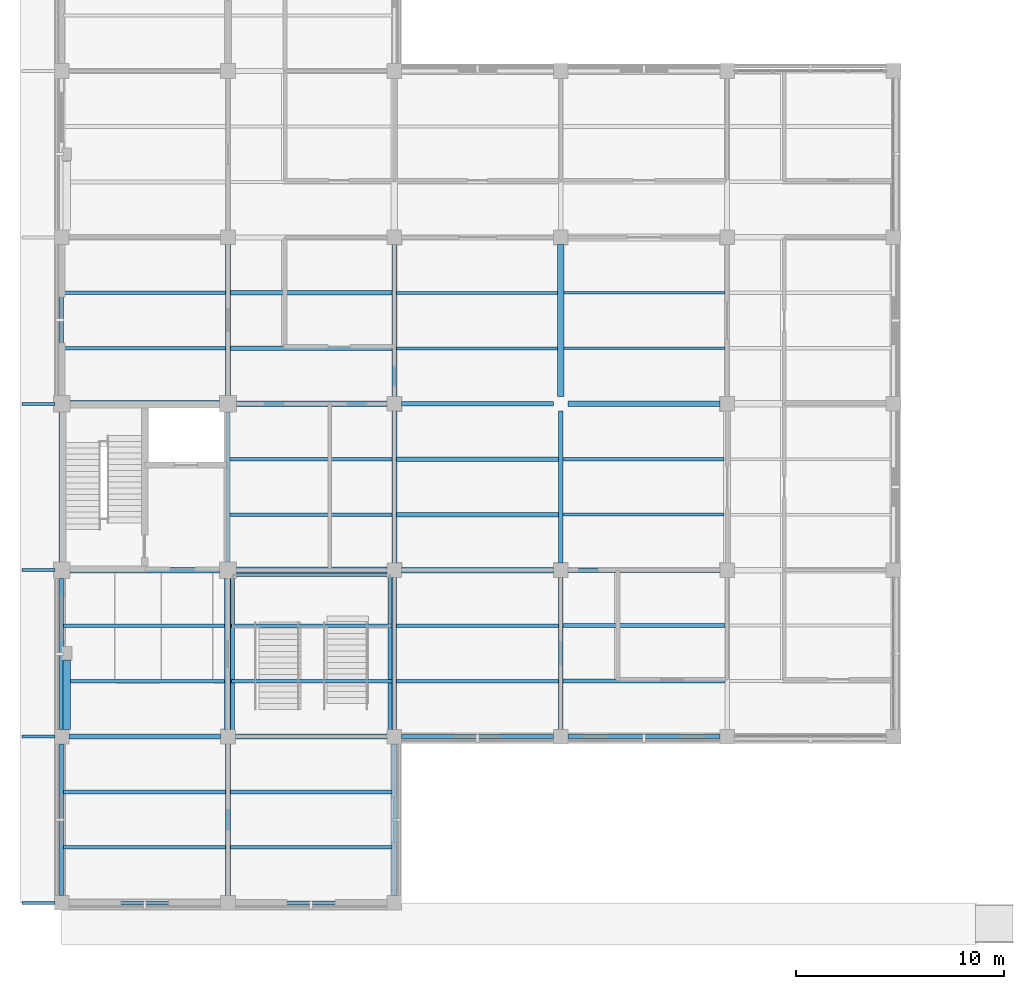
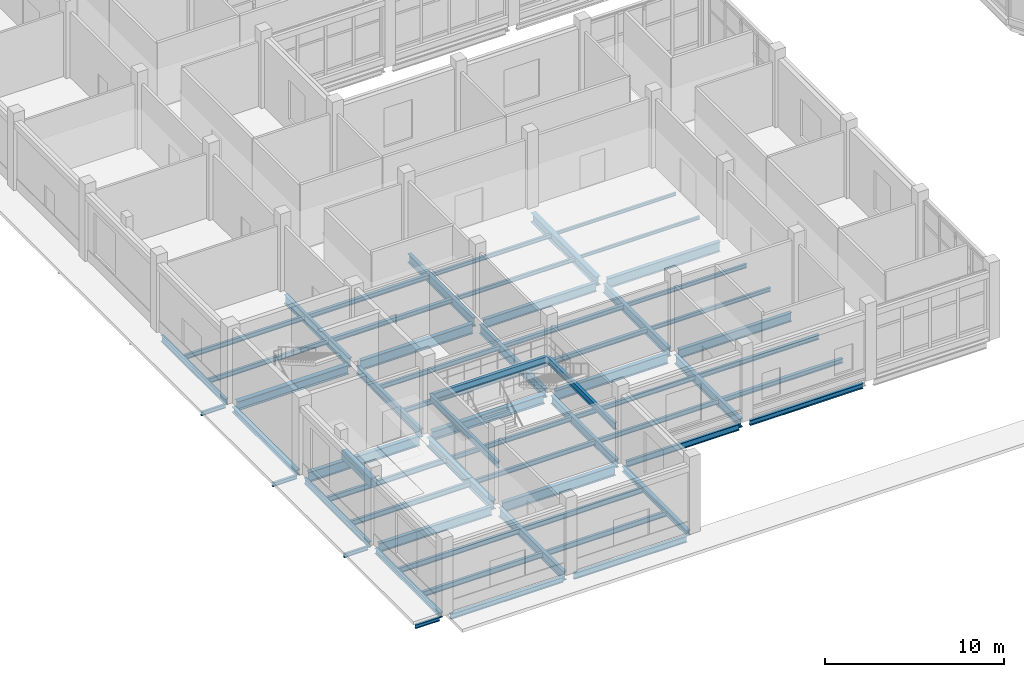
# One storey, part 8 of 105: 63 beams.
"""IFC4 building model written with IfcOpenShell, lengths in metres."""

from ifc_helpers import new_model, si_unit, derived_unit, direction, frame, origin, origin_2d, place, context, subcontext, project, spatial, rectangle, i_section, extrude, material, material_profile, profile_set, type_object, element, save


model = new_model("IFC4")

# Units and contexts
model_context = context("Model", 3, precision=1e-05, world=origin(), true_north=direction((0.0, 1.0)))
body_context = subcontext(model_context, "Body", "Model", "MODEL_VIEW")
ifc_project = project(units=[si_unit("LENGTHUNIT", "METRE"), si_unit("AREAUNIT", "SQUARE_METRE"), si_unit("VOLUMEUNIT", "CUBIC_METRE"), si_unit("PLANEANGLEUNIT", "RADIAN"), si_unit("MASSUNIT", "GRAM", prefix="KILO"), derived_unit("THERMALTRANSMITTANCEUNIT", [(si_unit("MASSUNIT", "GRAM", prefix="KILO"), 1), (si_unit("TIMEUNIT", "SECOND"), -3), (si_unit("THERMODYNAMICTEMPERATUREUNIT", "KELVIN"), -1)])], contexts=[model_context])

# Site, building, storey
site_placement = place(None, origin())
site = spatial("IfcSite", under=ifc_project, at=site_placement, CompositionType="ELEMENT")
building_placement = place(site_placement, origin())
building = spatial("IfcBuilding", under=site, at=building_placement, Name="Veyamyaing Civic Hall", CompositionType="ELEMENT")
storey_placement = place(building_placement, origin())
storey = spatial("IfcBuildingStorey", under=building, at=storey_placement, Name="L00", CompositionType="ELEMENT", Elevation=0.0)

# Beams
ifc_material_1 = material(Name="Steel ASTM A992", Category="steel")
ifc_material_profile_1 = material_profile(ifc_material_1, i_section(OverallWidth=0.256103515625, OverallDepth=0.693115234375, WebThickness=0.014404296875, FlangeThickness=0.023681640625, FilletRadius=0.013916015625, at=origin_2d()), Name="W690X170")
ifc_profile_set_1 = profile_set([ifc_material_profile_1], Name="Steel ASTM A992")
beam_type_1 = type_object("IfcBeamType", Name="B-04", PredefinedType="BEAM", material=ifc_profile_set_1)
beam_1_placement = place(storey_placement, frame((16.35009765625, 16.0, -0.611572265625), z_axis=(1.0, 0.0, 0.0), x_axis=(0.0, 1.0, 0.0)))
element("IfcBeam", 1, at=beam_1_placement, inside=storey, type_object=beam_type_1, Name="Girder B-04 L00 Grid C 3-4", PredefinedType="BEAM", context=body_context, shape_type="SweptSolid", body=[
    extrude(i_section(OverallWidth=0.256103515625, OverallDepth=0.693115234375, WebThickness=0.014404296875, FlangeThickness=0.023681640625, FilletRadius=0.013916015625, at=origin_2d()), origin(), (0.0, 0.0, 1.0), 7.2998046875),
])
beam_2_placement = place(storey_placement, frame((8.39990234375, 24.0, -0.611572265625), z_axis=(1.0, 0.0, 0.0), x_axis=(0.0, 1.0, 0.0)))
element("IfcBeam", 2, at=beam_2_placement, inside=storey, type_object=beam_type_1, Name="Girder B-04 L00 Grid D 2-3", PredefinedType="BEAM", context=body_context, shape_type="SweptSolid", body=[
    extrude(i_section(OverallWidth=0.256103515625, OverallDepth=0.693115234375, WebThickness=0.014404296875, FlangeThickness=0.023681640625, FilletRadius=0.013916015625, at=origin_2d()), origin(), (0.0, 0.0, 1.0), 7.25),
])
ifc_material_profile_2 = material_profile(ifc_material_1, i_section(OverallWidth=0.22998046875, OverallDepth=0.616943359375, WebThickness=0.01318359375, FlangeThickness=0.022216796875, FilletRadius=0.012939453125, at=origin_2d()), Name="W610X140")
ifc_profile_set_2 = profile_set([ifc_material_profile_2], Name="Steel ASTM A992")
beam_type_2 = type_object("IfcBeamType", Name="B-05", PredefinedType="BEAM", material=ifc_profile_set_2)
for number, where, z_axis, x_axis, name in (
    (3, (0.35009765625, 8.0, -0.573486328125), (1.0, 0.0, 0.0), (0.0, 1.0, 0.0), "Girder B-05 L00 Grid B 1-2"),
    (4, (24.35009765625, 16.0, -0.573486328125), (1.0, 0.0, 0.0), (0.0, 1.0, 0.0), "Girder B-05 L00 Grid C 4-5"),
    (5, (16.35009765625, 24.0, -0.573486328125), (1.0, 0.0, 0.0), (0.0, 1.0, 0.0), "Girder B-05 L00 Grid D 3-4"),
):
    element("IfcBeam", number, at=place(storey_placement, frame(where, z_axis=z_axis, x_axis=x_axis)), inside=storey, type_object=beam_type_2, Name=name, PredefinedType="BEAM", context=body_context, shape_type="SweptSolid", body=[
        extrude(i_section(OverallWidth=0.22998046875, OverallDepth=0.616943359375, WebThickness=0.01318359375, FlangeThickness=0.022216796875, FilletRadius=0.012939453125, at=origin_2d()), origin(), (0.0, 0.0, 1.0), 7.2998046875),
    ])
beam_3_placement = place(storey_placement, frame((8.0, 24.39990234375, -0.573486328125), z_axis=(0.0, 1.0, 0.0), x_axis=(-1.0, 0.0, 0.0)))
element("IfcBeam", 6, at=beam_3_placement, inside=storey, type_object=beam_type_2, Name="Girder B-05 L00 Grid 2 D-E", PredefinedType="BEAM", context=body_context, shape_type="SweptSolid", body=[
    extrude(i_section(OverallWidth=0.22998046875, OverallDepth=0.616943359375, WebThickness=0.01318359375, FlangeThickness=0.022216796875, FilletRadius=0.012939453125, at=origin_2d()), origin(), (0.0, 0.0, 1.0), 7.25),
])
for number, where, z_axis, x_axis, name in (
    (7, (16.0, 16.35009765625, -0.573486328125), (0.0, 1.0, 0.0), (-1.0, 0.0, 0.0), "Girder B-05 L00 Grid 3 C-D"),
    (8, (24.0, 8.35009765625, -0.573486328125), (0.0, 1.0, 0.0), (-1.0, 0.0, 0.0), "Girder B-05 L00 Grid 4 B-C"),
):
    element("IfcBeam", number, at=place(storey_placement, frame(where, z_axis=z_axis, x_axis=x_axis)), inside=storey, type_object=beam_type_2, Name=name, PredefinedType="BEAM", context=body_context, shape_type="SweptSolid", body=[
        extrude(i_section(OverallWidth=0.22998046875, OverallDepth=0.616943359375, WebThickness=0.01318359375, FlangeThickness=0.022216796875, FilletRadius=0.012939453125, at=origin_2d()), origin(), (0.0, 0.0, 1.0), 7.2998046875),
    ])
ifc_material_profile_3 = material_profile(ifc_material_1, i_section(OverallWidth=0.22802734375, OverallDepth=0.60791015625, WebThickness=0.01123046875, FlangeThickness=0.017333984375, FilletRadius=0.012939453125, at=origin_2d()), Name="W610X113")
ifc_profile_set_3 = profile_set([ifc_material_profile_3], Name="Steel ASTM A992")
beam_type_3 = type_object("IfcBeamType", Name="B-06", PredefinedType="BEAM", material=ifc_profile_set_3)
for number, where, z_axis, x_axis, name in (
    (9, (8.0, 0.35009765625, -0.569091796875), (0.0, 1.0, 0.0), (-1.0, 0.0, 0.0), "Girder B-06 L00 Grid 2 A-B"),
    (10, (16.0, 24.35009765625, -0.569091796875), (0.0, 1.0, 0.0), (-1.0, 0.0, 0.0), "Girder B-06 L00 Grid 3 D-E"),
    (11, (24.0, 16.35009765625, -0.569091796875), (0.0, 1.0, 0.0), (-1.0, 0.0, 0.0), "Girder B-06 L00 Grid 4 C-D"),
):
    element("IfcBeam", number, at=place(storey_placement, frame(where, z_axis=z_axis, x_axis=x_axis)), inside=storey, type_object=beam_type_3, Name=name, PredefinedType="BEAM", context=body_context, shape_type="SweptSolid", body=[
        extrude(i_section(OverallWidth=0.22802734375, OverallDepth=0.60791015625, WebThickness=0.01123046875, FlangeThickness=0.017333984375, FilletRadius=0.012939453125, at=origin_2d()), origin(), (0.0, 0.0, 1.0), 7.2998046875),
    ])
ifc_material_profile_4 = material_profile(ifc_material_1, i_section(OverallWidth=0.18994140625, OverallDepth=0.45703125, WebThickness=0.009033203125, FlangeThickness=0.014404296875, FilletRadius=0.010009765625, at=origin_2d()), Name="W460X74")
ifc_profile_set_4 = profile_set([ifc_material_profile_4], Name="Steel ASTM A992")
beam_type_4 = type_object("IfcBeamType", Name="B-09", PredefinedType="BEAM", material=ifc_profile_set_4)
for number, where, z_axis, x_axis, name in (
    (12, (8.219970703125, 8.14990234375, 2.216552734375), (0.0, 1.0, 0.0), (-1.0, 0.0, 0.0), "Monumental stair landing girder B-09 ST07.W"),
    (13, (15.780029296875, 8.14990234375, 2.216552734375), (0.0, 1.0, 0.0), (-1.0, 0.0, 0.0), "Monumental stair landing girder B-09 ST07.E"),
):
    element("IfcBeam", number, at=place(storey_placement, frame(where, z_axis=z_axis, x_axis=x_axis)), inside=storey, type_object=beam_type_4, Name=name, PredefinedType="BEAM", context=body_context, shape_type="SweptSolid", body=[
        extrude(i_section(OverallWidth=0.18994140625, OverallDepth=0.45703125, WebThickness=0.009033203125, FlangeThickness=0.014404296875, FilletRadius=0.010009765625, at=origin_2d()), origin(), (0.0, 0.0, 1.0), 7.630126953125),
    ])
beam_4_placement = place(storey_placement, frame((8.169921875, 15.780029296875, 2.216552734375), z_axis=(1.0, 0.0, 0.0), x_axis=(0.0, 1.0, 0.0)))
element("IfcBeam", 14, at=beam_4_placement, inside=storey, type_object=beam_type_4, Name="Monumental stair landing girder B-09 ST07.N", PredefinedType="BEAM", context=body_context, shape_type="SweptSolid", body=[
    extrude(i_section(OverallWidth=0.18994140625, OverallDepth=0.45703125, WebThickness=0.009033203125, FlangeThickness=0.014404296875, FilletRadius=0.010009765625, at=origin_2d()), origin(), (0.0, 0.0, 1.0), 7.66015625),
])
ifc_material_profile_5 = material_profile(ifc_material_1, i_section(OverallWidth=0.179931640625, OverallDepth=0.4130859375, WebThickness=0.009765625, FlangeThickness=0.01611328125, FilletRadius=0.010009765625, at=origin_2d()), Name="W410X74")
ifc_profile_set_5 = profile_set([ifc_material_profile_5], Name="Steel ASTM A992")
beam_type_5 = type_object("IfcBeamType", Name="B-10", PredefinedType="SPANDREL", material=ifc_profile_set_5)
beam_5_placement = place(storey_placement, frame((16.35009765625, 8.0, -0.471435546875), z_axis=(1.0, 0.0, 0.0), x_axis=(0.0, 1.0, 0.0)))
element("IfcBeam", 15, at=beam_5_placement, inside=storey, type_object=beam_type_5, Name="Girder B-10 L00 Grid B 3-4", PredefinedType="SPANDREL", context=body_context, shape_type="SweptSolid", body=[
    extrude(i_section(OverallWidth=0.179931640625, OverallDepth=0.4130859375, WebThickness=0.009765625, FlangeThickness=0.01611328125, FilletRadius=0.010009765625, at=origin_2d()), origin(), (0.0, 0.0, 1.0), 7.2998046875),
])
beam_6_placement = place(storey_placement, frame((0.0, 24.39990234375, -0.471435546875), z_axis=(0.0, 1.0, 0.0), x_axis=(-1.0, 0.0, 0.0)))
element("IfcBeam", 16, at=beam_6_placement, inside=storey, type_object=beam_type_5, Name="Girder B-10 L00 Grid 1 D-E", PredefinedType="SPANDREL", context=body_context, shape_type="SweptSolid", body=[
    extrude(i_section(OverallWidth=0.179931640625, OverallDepth=0.4130859375, WebThickness=0.009765625, FlangeThickness=0.01611328125, FilletRadius=0.010009765625, at=origin_2d()), origin(), (0.0, 0.0, 1.0), 7.25),
])
ifc_material_profile_6 = material_profile(ifc_material_1, i_section(OverallWidth=0.2041015625, OverallDepth=0.35009765625, WebThickness=0.0078125, FlangeThickness=0.01513671875, FilletRadius=0.010009765625, at=origin_2d()), Name="W360X72")
ifc_profile_set_6 = profile_set([ifc_material_profile_6], Name="Steel ASTM A992")
beam_type_6 = type_object("IfcBeamType", Name="B-11", PredefinedType="SPANDREL", material=ifc_profile_set_6)
for number, where, z_axis, x_axis, name in (
    (17, (0.35009765625, 0.0, -0.43994140625), (1.0, 0.0, 0.0), (0.0, 1.0, 0.0), "Girder B-11 L00 Grid A 1-2"),
    (18, (24.35009765625, 8.0, -0.43994140625), (1.0, 0.0, 0.0), (0.0, 1.0, 0.0), "Girder B-11 L00 Grid B 4-5"),
    (19, (0.0, 0.35009765625, -0.43994140625), (0.0, 1.0, 0.0), (-1.0, 0.0, 0.0), "Girder B-11 L00 Grid 1 A-B"),
):
    element("IfcBeam", number, at=place(storey_placement, frame(where, z_axis=z_axis, x_axis=x_axis)), inside=storey, type_object=beam_type_6, Name=name, PredefinedType="SPANDREL", context=body_context, shape_type="SweptSolid", body=[
        extrude(i_section(OverallWidth=0.2041015625, OverallDepth=0.35009765625, WebThickness=0.0078125, FlangeThickness=0.01513671875, FilletRadius=0.010009765625, at=origin_2d()), origin(), (0.0, 0.0, 1.0), 7.2998046875),
    ])
ifc_material_profile_7 = material_profile(ifc_material_1, i_section(OverallWidth=0.14599609375, OverallDepth=0.258056640625, WebThickness=0.006103515625, FlangeThickness=0.009033203125, FilletRadius=0.010009765625, at=origin_2d()), Name="W250X33")
ifc_profile_set_7 = profile_set([ifc_material_profile_7], Name="Steel ASTM A992")
beam_type_7 = type_object("IfcBeamType", Name="B-12", PredefinedType="BEAM", material=ifc_profile_set_7)
for number, where, z_axis, x_axis, name in (
    (20, (-1.89990234375, 0.0, -0.34912109375), (1.0, 0.0, 0.0), (0.0, 1.0, 0.0), "Colonnade deck transverse beam B-12 W.0"),
    (21, (-1.89990234375, 8.0, -0.34912109375), (1.0, 0.0, 0.0), (0.0, 1.0, 0.0), "Colonnade deck transverse beam B-12 W.1"),
    (22, (-1.89990234375, 16.0, -0.34912109375), (1.0, 0.0, 0.0), (0.0, 1.0, 0.0), "Colonnade deck transverse beam B-12 W.2"),
    (23, (-1.89990234375, 24.0, -0.34912109375), (1.0, 0.0, 0.0), (0.0, 1.0, 0.0), "Colonnade deck transverse beam B-12 W.3"),
):
    element("IfcBeam", number, at=place(storey_placement, frame(where, z_axis=z_axis, x_axis=x_axis)), inside=storey, type_object=beam_type_7, Name=name, PredefinedType="BEAM", context=body_context, shape_type="SweptSolid", body=[
        extrude(i_section(OverallWidth=0.14599609375, OverallDepth=0.258056640625, WebThickness=0.006103515625, FlangeThickness=0.009033203125, FilletRadius=0.010009765625, at=origin_2d()), origin(), (0.0, 0.0, 1.0), 1.579833984375),
    ])
ifc_material_profile_8 = material_profile(ifc_material_1, i_section(OverallWidth=0.25390625, OverallDepth=0.68408203125, WebThickness=0.012451171875, FlangeThickness=0.01904296875, FilletRadius=0.013916015625, at=origin_2d()), Name="W690X140")
ifc_profile_set_8 = profile_set([ifc_material_profile_8], Name="Steel ASTM A992")
beam_type_8 = type_object("IfcBeamType", Name="B-14", PredefinedType="BEAM", material=ifc_profile_set_8)
beam_7_placement = place(storey_placement, frame((8.35009765625, 8.0, -0.60693359375), z_axis=(1.0, 0.0, 0.0), x_axis=(0.0, 1.0, 0.0)))
element("IfcBeam", 24, at=beam_7_placement, inside=storey, type_object=beam_type_8, Name="Girder B-14 L00 Grid B 2-3", PredefinedType="BEAM", context=body_context, shape_type="SweptSolid", body=[
    extrude(i_section(OverallWidth=0.25390625, OverallDepth=0.68408203125, WebThickness=0.012451171875, FlangeThickness=0.01904296875, FilletRadius=0.013916015625, at=origin_2d()), origin(), (0.0, 0.0, 1.0), 7.2998046875),
])
beam_8_placement = place(storey_placement, frame((0.39990234375, 16.0, -0.60693359375), z_axis=(1.0, 0.0, 0.0), x_axis=(0.0, 1.0, 0.0)))
element("IfcBeam", 25, at=beam_8_placement, inside=storey, type_object=beam_type_8, Name="Girder B-14 L00 Grid C 1-2", PredefinedType="BEAM", context=body_context, shape_type="SweptSolid", body=[
    extrude(i_section(OverallWidth=0.25390625, OverallDepth=0.68408203125, WebThickness=0.012451171875, FlangeThickness=0.01904296875, FilletRadius=0.013916015625, at=origin_2d()), origin(), (0.0, 0.0, 1.0), 7.2001953125),
])
beam_9_placement = place(storey_placement, frame((24.35009765625, 24.0, -0.60693359375), z_axis=(1.0, 0.0, 0.0), x_axis=(0.0, 1.0, 0.0)))
element("IfcBeam", 26, at=beam_9_placement, inside=storey, type_object=beam_type_8, Name="Girder B-14 L00 Grid D 4-5", PredefinedType="BEAM", context=body_context, shape_type="SweptSolid", body=[
    extrude(i_section(OverallWidth=0.25390625, OverallDepth=0.68408203125, WebThickness=0.012451171875, FlangeThickness=0.01904296875, FilletRadius=0.013916015625, at=origin_2d()), origin(), (0.0, 0.0, 1.0), 7.2998046875),
])
ifc_material_profile_9 = material_profile(ifc_material_1, i_section(OverallWidth=0.324951171875, OverallDepth=0.615966796875, WebThickness=0.013916015625, FlangeThickness=0.021484375, FilletRadius=0.013916015625, at=origin_2d()), Name="W610X174")
ifc_profile_set_9 = profile_set([ifc_material_profile_9], Name="Steel ASTM A992")
beam_type_9 = type_object("IfcBeamType", Name="B-15", PredefinedType="BEAM", material=ifc_profile_set_9)
beam_10_placement = place(storey_placement, frame((8.39990234375, 16.0, -0.572998046875), z_axis=(1.0, 0.0, 0.0), x_axis=(0.0, 1.0, 0.0)))
element("IfcBeam", 27, at=beam_10_placement, inside=storey, type_object=beam_type_9, Name="Girder B-15 L00 Grid C 2-3", PredefinedType="BEAM", context=body_context, shape_type="SweptSolid", body=[
    extrude(i_section(OverallWidth=0.324951171875, OverallDepth=0.615966796875, WebThickness=0.013916015625, FlangeThickness=0.021484375, FilletRadius=0.013916015625, at=origin_2d()), origin(), (0.0, 0.0, 1.0), 7.25),
])
beam_11_placement = place(storey_placement, frame((0.39990234375, 24.0, -0.572998046875), z_axis=(1.0, 0.0, 0.0), x_axis=(0.0, 1.0, 0.0)))
element("IfcBeam", 28, at=beam_11_placement, inside=storey, type_object=beam_type_9, Name="Girder B-15 L00 Grid D 1-2", PredefinedType="BEAM", context=body_context, shape_type="SweptSolid", body=[
    extrude(i_section(OverallWidth=0.324951171875, OverallDepth=0.615966796875, WebThickness=0.013916015625, FlangeThickness=0.021484375, FilletRadius=0.013916015625, at=origin_2d()), origin(), (0.0, 0.0, 1.0), 7.2001953125),
])
beam_12_placement = place(storey_placement, frame((8.0, 8.35009765625, -0.572998046875), z_axis=(0.0, 1.0, 0.0), x_axis=(-1.0, 0.0, 0.0)))
element("IfcBeam", 29, at=beam_12_placement, inside=storey, type_object=beam_type_9, Name="Girder B-15 L00 Grid 2 B-C", PredefinedType="BEAM", context=body_context, shape_type="SweptSolid", body=[
    extrude(i_section(OverallWidth=0.324951171875, OverallDepth=0.615966796875, WebThickness=0.013916015625, FlangeThickness=0.021484375, FilletRadius=0.013916015625, at=origin_2d()), origin(), (0.0, 0.0, 1.0), 7.25),
])
beam_13_placement = place(storey_placement, frame((24.0, 24.35009765625, -0.572998046875), z_axis=(0.0, 1.0, 0.0), x_axis=(-1.0, 0.0, 0.0)))
element("IfcBeam", 30, at=beam_13_placement, inside=storey, type_object=beam_type_9, Name="Girder B-15 L00 Grid 4 D-E", PredefinedType="BEAM", context=body_context, shape_type="SweptSolid", body=[
    extrude(i_section(OverallWidth=0.324951171875, OverallDepth=0.615966796875, WebThickness=0.013916015625, FlangeThickness=0.021484375, FilletRadius=0.013916015625, at=origin_2d()), origin(), (0.0, 0.0, 1.0), 7.2998046875),
])
ifc_material_profile_10 = material_profile(ifc_material_1, i_section(OverallWidth=0.214111328125, OverallDepth=0.549072265625, WebThickness=0.0146484375, FlangeThickness=0.023681640625, FilletRadius=0.011962890625, at=origin_2d()), Name="W530X138")
ifc_profile_set_10 = profile_set([ifc_material_profile_10], Name="Steel ASTM A992")
beam_type_10 = type_object("IfcBeamType", Name="B-16", PredefinedType="BEAM", material=ifc_profile_set_10)
beam_14_placement = place(storey_placement, frame((8.0, 16.39990234375, -0.53955078125), z_axis=(0.0, 1.0, 0.0), x_axis=(-1.0, 0.0, 0.0)))
element("IfcBeam", 31, at=beam_14_placement, inside=storey, type_object=beam_type_10, Name="Girder B-16 L00 Grid 2 C-D", PredefinedType="BEAM", context=body_context, shape_type="SweptSolid", body=[
    extrude(i_section(OverallWidth=0.214111328125, OverallDepth=0.549072265625, WebThickness=0.0146484375, FlangeThickness=0.023681640625, FilletRadius=0.011962890625, at=origin_2d()), origin(), (0.0, 0.0, 1.0), 7.2001953125),
])
beam_15_placement = place(storey_placement, frame((16.0, 8.35009765625, -0.53955078125), z_axis=(0.0, 1.0, 0.0), x_axis=(-1.0, 0.0, 0.0)))
element("IfcBeam", 32, at=beam_15_placement, inside=storey, type_object=beam_type_10, Name="Girder B-16 L00 Grid 3 B-C", PredefinedType="BEAM", context=body_context, shape_type="SweptSolid", body=[
    extrude(i_section(OverallWidth=0.214111328125, OverallDepth=0.549072265625, WebThickness=0.0146484375, FlangeThickness=0.023681640625, FilletRadius=0.011962890625, at=origin_2d()), origin(), (0.0, 0.0, 1.0), 7.2998046875),
])
ifc_material_profile_11 = material_profile(ifc_material_1, i_section(OverallWidth=0.180908203125, OverallDepth=0.4169921875, WebThickness=0.010986328125, FlangeThickness=0.018310546875, FilletRadius=0.010009765625, at=origin_2d()), Name="W410X85")
ifc_profile_set_11 = profile_set([ifc_material_profile_11], Name="Steel ASTM A992")
beam_type_11 = type_object("IfcBeamType", Name="B-19", PredefinedType="SPANDREL", material=ifc_profile_set_11)
beam_16_placement = place(storey_placement, frame((8.35009765625, 0.0, -0.473388671875), z_axis=(1.0, 0.0, 0.0), x_axis=(0.0, 1.0, 0.0)))
element("IfcBeam", 33, at=beam_16_placement, inside=storey, type_object=beam_type_11, Name="Girder B-19 L00 Grid A 2-3", PredefinedType="SPANDREL", context=body_context, shape_type="SweptSolid", body=[
    extrude(i_section(OverallWidth=0.180908203125, OverallDepth=0.4169921875, WebThickness=0.010986328125, FlangeThickness=0.018310546875, FilletRadius=0.010009765625, at=origin_2d()), origin(), (0.0, 0.0, 1.0), 7.2998046875),
])
beam_17_placement = place(storey_placement, frame((0.0, 8.35009765625, -0.473388671875), z_axis=(0.0, 1.0, 0.0), x_axis=(-1.0, 0.0, 0.0)))
element("IfcBeam", 34, at=beam_17_placement, inside=storey, type_object=beam_type_11, Name="Girder B-19 L00 Grid 1 B-C", PredefinedType="SPANDREL", context=body_context, shape_type="SweptSolid", body=[
    extrude(i_section(OverallWidth=0.180908203125, OverallDepth=0.4169921875, WebThickness=0.010986328125, FlangeThickness=0.018310546875, FilletRadius=0.010009765625, at=origin_2d()), origin(), (0.0, 0.0, 1.0), 7.25),
])
ifc_material_profile_12 = material_profile(ifc_material_1, i_section(OverallWidth=0.25390625, OverallDepth=0.35302734375, WebThickness=0.009521484375, FlangeThickness=0.016357421875, FilletRadius=0.011962890625, at=origin_2d()), Name="W360X91")
ifc_profile_set_12 = profile_set([ifc_material_profile_12], Name="Steel ASTM A992")
beam_type_12 = type_object("IfcBeamType", Name="B-20", PredefinedType="SPANDREL", material=ifc_profile_set_12)
beam_18_placement = place(storey_placement, frame((0.0, 16.39990234375, -0.44140625), z_axis=(0.0, 1.0, 0.0), x_axis=(-1.0, 0.0, 0.0)))
element("IfcBeam", 35, at=beam_18_placement, inside=storey, type_object=beam_type_12, Name="Girder B-20 L00 Grid 1 C-D", PredefinedType="SPANDREL", context=body_context, shape_type="SweptSolid", body=[
    extrude(i_section(OverallWidth=0.25390625, OverallDepth=0.35302734375, WebThickness=0.009521484375, FlangeThickness=0.016357421875, FilletRadius=0.011962890625, at=origin_2d()), origin(), (0.0, 0.0, 1.0), 7.2001953125),
])
beam_19_placement = place(storey_placement, frame((16.0, 0.35009765625, -0.44140625), z_axis=(0.0, 1.0, 0.0), x_axis=(-1.0, 0.0, 0.0)))
element("IfcBeam", 36, at=beam_19_placement, inside=storey, type_object=beam_type_12, Name="Girder B-20 L00 Grid 3 A-B", PredefinedType="SPANDREL", context=body_context, shape_type="SweptSolid", body=[
    extrude(i_section(OverallWidth=0.25390625, OverallDepth=0.35302734375, WebThickness=0.009521484375, FlangeThickness=0.016357421875, FilletRadius=0.011962890625, at=origin_2d()), origin(), (0.0, 0.0, 1.0), 7.2998046875),
])
ifc_material_profile_13 = material_profile(ifc_material_1, i_section(OverallWidth=0.172119140625, OverallDepth=0.35791015625, WebThickness=0.0078125, FlangeThickness=0.01318359375, FilletRadius=0.010009765625, at=origin_2d()), Name="W360X57")
ifc_profile_set_13 = profile_set([ifc_material_profile_13], Name="Steel ASTM A992")
beam_type_13 = type_object("IfcBeamType", Name="J-02", PredefinedType="JOIST", material=ifc_profile_set_13)
for number, where, z_axis, x_axis, name in (
    (37, (0.10009765625, 2.666748046875, -0.444091796875), (1.0, 0.0, 0.0), (0.0, 1.0, 0.0), "Composite floor joist J-02 L00 1.1.1"),
    (38, (0.10009765625, 5.333251953125, -0.444091796875), (1.0, 0.0, 0.0), (0.0, 1.0, 0.0), "Composite floor joist J-02 L00 1.1.2"),
):
    element("IfcBeam", number, at=place(storey_placement, frame(where, z_axis=z_axis, x_axis=x_axis)), inside=storey, type_object=beam_type_13, Name=name, PredefinedType="JOIST", context=body_context, shape_type="SweptSolid", body=[
        extrude(i_section(OverallWidth=0.172119140625, OverallDepth=0.35791015625, WebThickness=0.0078125, FlangeThickness=0.01318359375, FilletRadius=0.010009765625, at=origin_2d()), origin(), (0.0, 0.0, 1.0), 7.787841796875),
    ])
ifc_material_profile_14 = material_profile(ifc_material_1, i_section(OverallWidth=0.1708984375, OverallDepth=0.35205078125, WebThickness=0.0068359375, FlangeThickness=0.009765625, FilletRadius=0.010009765625, at=origin_2d()), Name="W360X44")
ifc_profile_set_14 = profile_set([ifc_material_profile_14], Name="Steel ASTM A992")
beam_type_14 = type_object("IfcBeamType", Name="J-03", PredefinedType="JOIST", material=ifc_profile_set_14)
for number, where, z_axis, x_axis, name in (
    (39, (0.08837890625, 10.666748046875, -0.44091796875), (1.0, 0.0, 0.0), (0.0, 1.0, 0.0), "Composite floor joist J-03 L00 1.2.1"),
    (40, (0.08837890625, 13.333251953125, -0.44091796875), (1.0, 0.0, 0.0), (0.0, 1.0, 0.0), "Composite floor joist J-03 L00 1.2.2"),
):
    element("IfcBeam", number, at=place(storey_placement, frame(where, z_axis=z_axis, x_axis=x_axis)), inside=storey, type_object=beam_type_14, Name=name, PredefinedType="JOIST", context=body_context, shape_type="SweptSolid", body=[
        extrude(i_section(OverallWidth=0.1708984375, OverallDepth=0.35205078125, WebThickness=0.0068359375, FlangeThickness=0.009765625, FilletRadius=0.010009765625, at=origin_2d()), origin(), (0.0, 0.0, 1.0), 7.751220703125),
    ])
for number, where, z_axis, x_axis, name in (
    (41, (8.112060546875, 2.666748046875, -0.44091796875), (1.0, 0.0, 0.0), (0.0, 1.0, 0.0), "Composite floor joist J-03 L00 2.1.1"),
    (42, (8.112060546875, 5.333251953125, -0.44091796875), (1.0, 0.0, 0.0), (0.0, 1.0, 0.0), "Composite floor joist J-03 L00 2.1.2"),
):
    element("IfcBeam", number, at=place(storey_placement, frame(where, z_axis=z_axis, x_axis=x_axis)), inside=storey, type_object=beam_type_14, Name=name, PredefinedType="JOIST", context=body_context, shape_type="SweptSolid", body=[
        extrude(i_section(OverallWidth=0.1708984375, OverallDepth=0.35205078125, WebThickness=0.0068359375, FlangeThickness=0.009765625, FilletRadius=0.010009765625, at=origin_2d()), origin(), (0.0, 0.0, 1.0), 7.762939453125),
    ])
ifc_material_profile_15 = material_profile(ifc_material_1, i_section(OverallWidth=0.1669921875, OverallDepth=0.318115234375, WebThickness=0.007568359375, FlangeThickness=0.01318359375, FilletRadius=0.010009765625, at=origin_2d()), Name="W310X52")
ifc_profile_set_15 = profile_set([ifc_material_profile_15], Name="Steel ASTM A992")
beam_type_15 = type_object("IfcBeamType", Name="J-04", PredefinedType="JOIST", material=ifc_profile_set_15)
for number, where, z_axis, x_axis, name in (
    (43, (8.160400390625, 10.666748046875, -0.424072265625), (1.0, 0.0, 0.0), (0.0, 1.0, 0.0), "Composite floor joist J-04 L00 2.2.1"),
    (44, (8.160400390625, 13.333251953125, -0.424072265625), (1.0, 0.0, 0.0), (0.0, 1.0, 0.0), "Composite floor joist J-04 L00 2.2.2"),
):
    element("IfcBeam", number, at=place(storey_placement, frame(where, z_axis=z_axis, x_axis=x_axis)), inside=storey, type_object=beam_type_15, Name=name, PredefinedType="JOIST", context=body_context, shape_type="SweptSolid", body=[
        extrude(i_section(OverallWidth=0.1669921875, OverallDepth=0.318115234375, WebThickness=0.007568359375, FlangeThickness=0.01318359375, FilletRadius=0.010009765625, at=origin_2d()), origin(), (0.0, 0.0, 1.0), 7.734619140625),
    ])
ifc_material_profile_16 = material_profile(ifc_material_1, i_section(OverallWidth=0.1650390625, OverallDepth=0.31005859375, WebThickness=0.005859375, FlangeThickness=0.009765625, FilletRadius=0.010009765625, at=origin_2d()), Name="W310X39")
ifc_profile_set_16 = profile_set([ifc_material_profile_16], Name="Steel ASTM A992")
beam_type_16 = type_object("IfcBeamType", Name="J-05", PredefinedType="JOIST", material=ifc_profile_set_16)
for number, where, z_axis, x_axis, name in (
    (45, (0.087890625, 26.666748046875, -0.419921875), (1.0, 0.0, 0.0), (0.0, 1.0, 0.0), "Composite floor joist J-05 L00 1.4.1"),
    (46, (0.087890625, 29.333251953125, -0.419921875), (1.0, 0.0, 0.0), (0.0, 1.0, 0.0), "Composite floor joist J-05 L00 1.4.2"),
):
    element("IfcBeam", number, at=place(storey_placement, frame(where, z_axis=z_axis, x_axis=x_axis)), inside=storey, type_object=beam_type_16, Name=name, PredefinedType="JOIST", context=body_context, shape_type="SweptSolid", body=[
        extrude(i_section(OverallWidth=0.1650390625, OverallDepth=0.31005859375, WebThickness=0.005859375, FlangeThickness=0.009765625, FilletRadius=0.010009765625, at=origin_2d()), origin(), (0.0, 0.0, 1.0), 7.799072265625),
    ])
for number, where, z_axis, x_axis, name in (
    (47, (8.10498046875, 18.666748046875, -0.419921875), (1.0, 0.0, 0.0), (0.0, 1.0, 0.0), "Composite floor joist J-05 L00 2.3.1"),
    (48, (8.10498046875, 21.333251953125, -0.419921875), (1.0, 0.0, 0.0), (0.0, 1.0, 0.0), "Composite floor joist J-05 L00 2.3.2"),
    (49, (16.10498046875, 10.666748046875, -0.419921875), (1.0, 0.0, 0.0), (0.0, 1.0, 0.0), "Composite floor joist J-05 L00 3.2.1"),
    (50, (16.10498046875, 13.333251953125, -0.419921875), (1.0, 0.0, 0.0), (0.0, 1.0, 0.0), "Composite floor joist J-05 L00 3.2.2"),
):
    element("IfcBeam", number, at=place(storey_placement, frame(where, z_axis=z_axis, x_axis=x_axis)), inside=storey, type_object=beam_type_16, Name=name, PredefinedType="JOIST", context=body_context, shape_type="SweptSolid", body=[
        extrude(i_section(OverallWidth=0.1650390625, OverallDepth=0.31005859375, WebThickness=0.005859375, FlangeThickness=0.009765625, FilletRadius=0.010009765625, at=origin_2d()), origin(), (0.0, 0.0, 1.0), 7.781982421875),
    ])
ifc_material_profile_17 = material_profile(ifc_material_1, i_section(OverallWidth=0.2041015625, OverallDepth=0.305908203125, WebThickness=0.008544921875, FlangeThickness=0.0146484375, FilletRadius=0.010009765625, at=origin_2d()), Name="W310X67")
ifc_profile_set_17 = profile_set([ifc_material_profile_17], Name="Steel ASTM A992")
beam_type_17 = type_object("IfcBeamType", Name="J-06", PredefinedType="JOIST", material=ifc_profile_set_17)
for number, where, z_axis, x_axis, name in (
    (51, (8.113037109375, 26.666748046875, -0.41796875), (1.0, 0.0, 0.0), (0.0, 1.0, 0.0), "Composite floor joist J-06 L00 2.4.1"),
    (52, (8.113037109375, 29.333251953125, -0.41796875), (1.0, 0.0, 0.0), (0.0, 1.0, 0.0), "Composite floor joist J-06 L00 2.4.2"),
    (53, (16.113037109375, 18.666748046875, -0.41796875), (1.0, 0.0, 0.0), (0.0, 1.0, 0.0), "Composite floor joist J-06 L00 3.3.1"),
    (54, (16.113037109375, 21.333251953125, -0.41796875), (1.0, 0.0, 0.0), (0.0, 1.0, 0.0), "Composite floor joist J-06 L00 3.3.2"),
    (55, (24.113037109375, 10.666748046875, -0.41796875), (1.0, 0.0, 0.0), (0.0, 1.0, 0.0), "Composite floor joist J-06 L00 4.2.1"),
    (56, (24.113037109375, 13.333251953125, -0.41796875), (1.0, 0.0, 0.0), (0.0, 1.0, 0.0), "Composite floor joist J-06 L00 4.2.2"),
):
    element("IfcBeam", number, at=place(storey_placement, frame(where, z_axis=z_axis, x_axis=x_axis)), inside=storey, type_object=beam_type_17, Name=name, PredefinedType="JOIST", context=body_context, shape_type="SweptSolid", body=[
        extrude(i_section(OverallWidth=0.2041015625, OverallDepth=0.305908203125, WebThickness=0.008544921875, FlangeThickness=0.0146484375, FilletRadius=0.010009765625, at=origin_2d()), origin(), (0.0, 0.0, 1.0), 7.77490234375),
    ])
ifc_material_profile_18 = material_profile(ifc_material_1, i_section(OverallWidth=0.14794921875, OverallDepth=0.26611328125, WebThickness=0.007568359375, FlangeThickness=0.012939453125, FilletRadius=0.010009765625, at=origin_2d()), Name="W250X45")
ifc_profile_set_18 = profile_set([ifc_material_profile_18], Name="Steel ASTM A992")
beam_type_18 = type_object("IfcBeamType", Name="J-07", PredefinedType="JOIST", material=ifc_profile_set_18)
for number, where, z_axis, x_axis, name in (
    (57, (16.112060546875, 26.666748046875, -0.39794921875), (1.0, 0.0, 0.0), (0.0, 1.0, 0.0), "Composite floor joist J-07 L00 3.4.1"),
    (58, (16.112060546875, 29.333251953125, -0.39794921875), (1.0, 0.0, 0.0), (0.0, 1.0, 0.0), "Composite floor joist J-07 L00 3.4.2"),
    (59, (24.112060546875, 18.666748046875, -0.39794921875), (1.0, 0.0, 0.0), (0.0, 1.0, 0.0), "Composite floor joist J-07 L00 4.3.1"),
    (60, (24.112060546875, 21.333251953125, -0.39794921875), (1.0, 0.0, 0.0), (0.0, 1.0, 0.0), "Composite floor joist J-07 L00 4.3.2"),
):
    element("IfcBeam", number, at=place(storey_placement, frame(where, z_axis=z_axis, x_axis=x_axis)), inside=storey, type_object=beam_type_18, Name=name, PredefinedType="JOIST", context=body_context, shape_type="SweptSolid", body=[
        extrude(i_section(OverallWidth=0.14794921875, OverallDepth=0.26611328125, WebThickness=0.007568359375, FlangeThickness=0.012939453125, FilletRadius=0.010009765625, at=origin_2d()), origin(), (0.0, 0.0, 1.0), 7.7275390625),
    ])
ifc_material_profile_19 = material_profile(ifc_material_1, i_section(OverallWidth=0.133056640625, OverallDepth=0.20703125, WebThickness=0.005859375, FlangeThickness=0.00830078125, FilletRadius=0.010009765625, at=origin_2d()), Name="W200X27")
ifc_profile_set_19 = profile_set([ifc_material_profile_19], Name="Steel ASTM A992")
beam_type_19 = type_object("IfcBeamType", Name="J-08", PredefinedType="JOIST", material=ifc_profile_set_19)
for number, where, z_axis, x_axis, name in (
    (61, (24.160400390625, 26.666748046875, -0.368408203125), (1.0, 0.0, 0.0), (0.0, 1.0, 0.0), "Composite floor joist J-08 L00 4.4.1"),
    (62, (24.160400390625, 29.333251953125, -0.368408203125), (1.0, 0.0, 0.0), (0.0, 1.0, 0.0), "Composite floor joist J-08 L00 4.4.2"),
):
    element("IfcBeam", number, at=place(storey_placement, frame(where, z_axis=z_axis, x_axis=x_axis)), inside=storey, type_object=beam_type_19, Name=name, PredefinedType="JOIST", context=body_context, shape_type="SweptSolid", body=[
        extrude(i_section(OverallWidth=0.133056640625, OverallDepth=0.20703125, WebThickness=0.005859375, FlangeThickness=0.00830078125, FilletRadius=0.010009765625, at=origin_2d()), origin(), (0.0, 0.0, 1.0), 7.734619140625),
    ])
ifc_material_2 = material(Name="Precast concrete C40/50", Category="concrete")
ifc_material_profile_20 = material_profile(ifc_material_2, rectangle(XDim=0.35009765625, YDim=0.60009765625, at=origin_2d()), Name="RC-LINT-350X600")
ifc_profile_set_20 = profile_set([ifc_material_profile_20], Name="Precast concrete C40/50")
beam_type_20 = type_object("IfcBeamType", Name="LN-02", PredefinedType="LINTEL", material=ifc_profile_set_20)
beam_20_placement = place(storey_placement, frame((0.25, 8.35009765625, 3.64990234375), z_axis=(0.0, 1.0, 0.0), x_axis=(-1.0, 0.0, 0.0)))
element("IfcBeam", 63, at=beam_20_placement, inside=storey, type_object=beam_type_20, Name="Riwaq Arcade Precast Lintel LN-02 PIL-W-01", PredefinedType="LINTEL", context=body_context, shape_type="SweptSolid", body=[
    extrude(rectangle(XDim=0.35009765625, YDim=0.60009765625, at=origin_2d()), origin(), (0.0, 0.0, 1.0), 3.2998046875),
])

save(model, "model.ifc")
